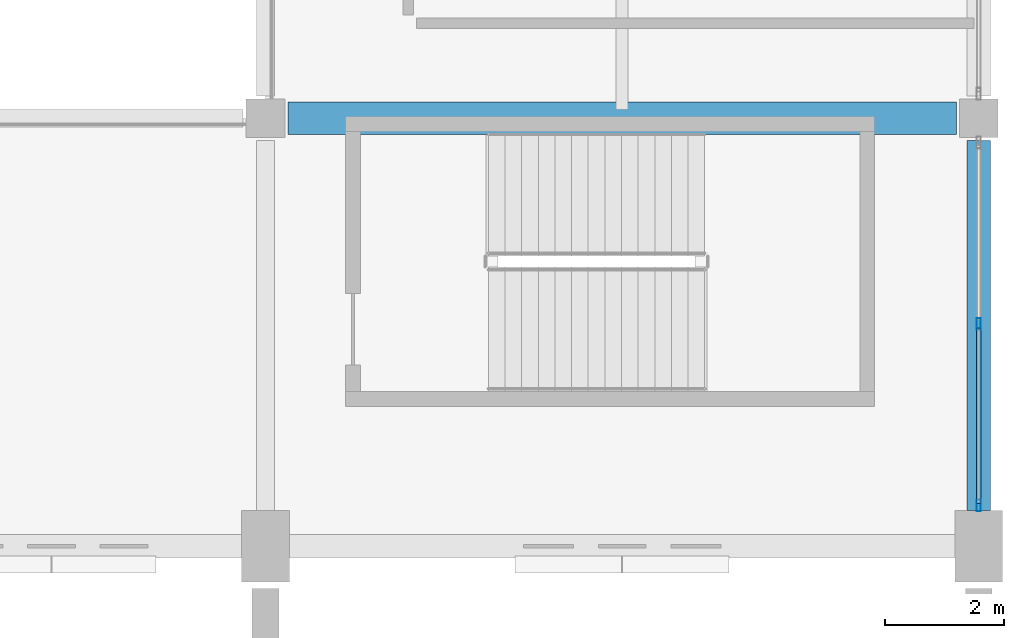
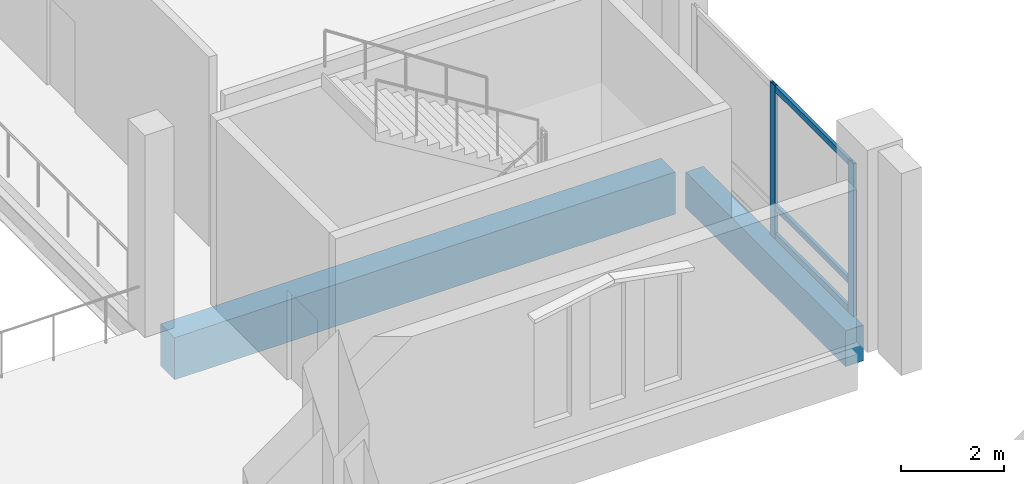
# One storey, part 101 of 220: 5 members, 2 beams, 1 element without a shape of its own.
"""IFC4 building model written with IfcOpenShell, lengths in metres."""

from ifc_helpers import new_model, si_unit, direction, frame, origin, origin_2d, place, context, subcontext, project, spatial, rectangle, hollow_rectangle, extrude, material, material_profile, profile_set, type_object, element, aggregate, save


model = new_model("IFC4")

# Units and contexts
model_context = context("Model", 3, precision=1e-05, world=origin(), true_north=direction((0.0, 1.0)))
body_context = subcontext(model_context, "Body", "Model", "MODEL_VIEW")
ifc_project = project(units=[si_unit("LENGTHUNIT", "METRE"), si_unit("AREAUNIT", "SQUARE_METRE"), si_unit("VOLUMEUNIT", "CUBIC_METRE"), si_unit("PLANEANGLEUNIT", "RADIAN"), si_unit("MASSUNIT", "GRAM", prefix="KILO")], contexts=[model_context])

# Site, building, storey
site_placement = place(None, origin())
site = spatial("IfcSite", under=ifc_project, at=site_placement, CompositionType="ELEMENT")
building_placement = place(site_placement, origin())
building = spatial("IfcBuilding", under=site, at=building_placement, Name="Cendralis Lancet Convention Centre", CompositionType="ELEMENT")
storey_placement = place(building_placement, frame((0.0, 0.0, 5.39990234375)))
storey = spatial("IfcBuildingStorey", under=building, at=storey_placement, Name="L01", CompositionType="ELEMENT", Elevation=5.39990234375)

# Curtain wall, members
ifc_material_1 = material(Name="Anodised bronze architectural aluminium", Category="aluminium")
curtain_wall_type = type_object("IfcCurtainWallType", Name="ARC-CW-PL01", PredefinedType="USERDEFINED", material=ifc_material_1)
curtain_wall_placement = place(storey_placement, origin())
curtain_wall = element("IfcCurtainWall", 1, at=curtain_wall_placement, inside=storey, type_object=curtain_wall_type, Name="L01 Curtain Wall CW-PL1 #121", ObjectType="CURTAIN WALL", PredefinedType="USERDEFINED")
ifc_material_profile_1 = material_profile(ifc_material_1, hollow_rectangle(XDim=0.070068359375, YDim=0.199951171875, WallThickness=0.0048828125, at=origin_2d()), Name="AL-MULL 70x200x5.0")
ifc_profile_set_1 = profile_set([ifc_material_profile_1], Name="Anodised bronze architectural aluminium")
member_type_1 = type_object("IfcMemberType", Name="ARC-CW-ML02", PredefinedType="MULLION", material=ifc_profile_set_1)
member_1_placement = place(storey_placement, frame((208.800048828125, 46.9375, 0.0), z_axis=(0.0, 0.0, 1.0), x_axis=(1.0, 0.0, 0.0)))
member_1 = element("IfcMember", 2, at=member_1_placement, type_object=member_type_1, Name="Mullion CW2-CW-PL1-L01-121-M1", PredefinedType="MULLION", context=body_context, shape_type="SweptSolid", body=[
    extrude(hollow_rectangle(XDim=0.070068359375, YDim=0.199951171875, WallThickness=0.0048828125, at=origin_2d()), origin(), (0.0, 0.0, 1.0), 3.635009765625),
])
member_2_placement = place(storey_placement, frame((208.800048828125, 43.885009765625, 0.0), z_axis=(0.0, 0.0, 1.0), x_axis=(1.0, 0.0, 0.0)))
member_2 = element("IfcMember", 3, at=member_2_placement, type_object=member_type_1, Name="Mullion CW2-CW-PL1-L01-121-M2", PredefinedType="MULLION", context=body_context, shape_type="SweptSolid", body=[
    extrude(hollow_rectangle(XDim=0.070068359375, YDim=0.199951171875, WallThickness=0.0048828125, at=origin_2d()), origin(), (0.0, 0.0, 1.0), 3.635009765625),
])
ifc_material_profile_2 = material_profile(ifc_material_1, hollow_rectangle(XDim=0.070068359375, YDim=0.139892578125, WallThickness=0.00390625, at=origin_2d()), Name="AL-TRAN 70x140x4.0")
ifc_profile_set_2 = profile_set([ifc_material_profile_2], Name="Anodised bronze architectural aluminium")
member_type_2 = type_object("IfcMemberType", Name="ARC-CW-TR02", PredefinedType="USERDEFINED", material=ifc_profile_set_2)
member_3_placement = place(storey_placement, frame((208.800048828125, 46.867431640625, 0.070068359375), z_axis=(0.0, -1.0, 0.0), x_axis=(1.0, 0.0, 0.0)))
member_3 = element("IfcMember", 4, at=member_3_placement, type_object=member_type_2, Name="Transom CW2-CW-PL1-L01-121-T1BOT", ObjectType="TRANSOM", PredefinedType="USERDEFINED", context=body_context, shape_type="SweptSolid", body=[
    extrude(hollow_rectangle(XDim=0.070068359375, YDim=0.139892578125, WallThickness=0.00390625, at=origin_2d()), origin(), (0.0, 0.0, 1.0), 2.947509765625),
])
member_4_placement = place(storey_placement, frame((208.800048828125, 46.867431640625, 0.75), z_axis=(0.0, -1.0, 0.0), x_axis=(1.0, 0.0, 0.0)))
member_4 = element("IfcMember", 5, at=member_4_placement, type_object=member_type_2, Name="Transom CW2-CW-PL1-L01-121-T1MID", ObjectType="TRANSOM", PredefinedType="USERDEFINED", context=body_context, shape_type="SweptSolid", body=[
    extrude(hollow_rectangle(XDim=0.070068359375, YDim=0.139892578125, WallThickness=0.00390625, at=origin_2d()), origin(), (0.0, 0.0, 1.0), 2.947509765625),
])
member_5_placement = place(storey_placement, frame((208.800048828125, 46.867431640625, 3.565185546875), z_axis=(0.0, -1.0, 0.0), x_axis=(1.0, 0.0, 0.0)))
member_5 = element("IfcMember", 6, at=member_5_placement, type_object=member_type_2, Name="Transom CW2-CW-PL1-L01-121-T1TOP", ObjectType="TRANSOM", PredefinedType="USERDEFINED", context=body_context, shape_type="SweptSolid", body=[
    extrude(hollow_rectangle(XDim=0.070068359375, YDim=0.139892578125, WallThickness=0.00390625, at=origin_2d()), origin(), (0.0, 0.0, 1.0), 2.947509765625),
])
aggregate(curtain_wall, [member_1, member_2, member_3, member_4, member_5])

# Beams
ifc_material_2 = material(Name="Concrete G40 (C40/50)", Category="concrete")
ifc_material_profile_3 = material_profile(ifc_material_2, rectangle(XDim=0.550048828125, YDim=1.0, at=origin_2d()), Name="RCB 550x1000")
ifc_profile_set_3 = profile_set([ifc_material_profile_3], Name="Concrete G40 (C40/50)")
beam_type_1 = type_object("IfcBeamType", Name="STR-BM-BG05", PredefinedType="BEAM", material=ifc_profile_set_3)
beam_1_placement = place(storey_placement, frame((197.175048828125, 50.39990234375, -0.77978515625), z_axis=(1.0, 0.0, 0.0), x_axis=(0.0, 1.0, 0.0)))
element("IfcBeam", 7, at=beam_1_placement, inside=storey, type_object=beam_type_1, Name="L01 Beam BG05 #1414", PredefinedType="BEAM", context=body_context, shape_type="SweptSolid", body=[
    extrude(rectangle(XDim=0.550048828125, YDim=1.0, at=origin_2d()), origin(), (0.0, 0.0, 1.0), 11.25),
])
ifc_material_profile_4 = material_profile(ifc_material_2, rectangle(XDim=0.39990234375, YDim=0.85009765625, at=origin_2d()), Name="RCB 400x850")
ifc_profile_set_4 = profile_set([ifc_material_profile_4], Name="Concrete G40 (C40/50)")
beam_type_2 = type_object("IfcBeamType", Name="STR-SP-SP02", PredefinedType="SPANDREL", material=ifc_profile_set_4)
beam_2_placement = place(storey_placement, frame((208.800048828125, 43.800048828125, -0.704833984375), z_axis=(0.0, 1.0, 0.0), x_axis=(-1.0, 0.0, 0.0)))
element("IfcBeam", 8, at=beam_2_placement, inside=storey, type_object=beam_type_2, Name="L01 Beam SP02 #1437", PredefinedType="SPANDREL", context=body_context, shape_type="SweptSolid", body=[
    extrude(rectangle(XDim=0.39990234375, YDim=0.85009765625, at=origin_2d()), origin(), (0.0, 0.0, 1.0), 6.224853515625),
])

save(model, "model.ifc")
